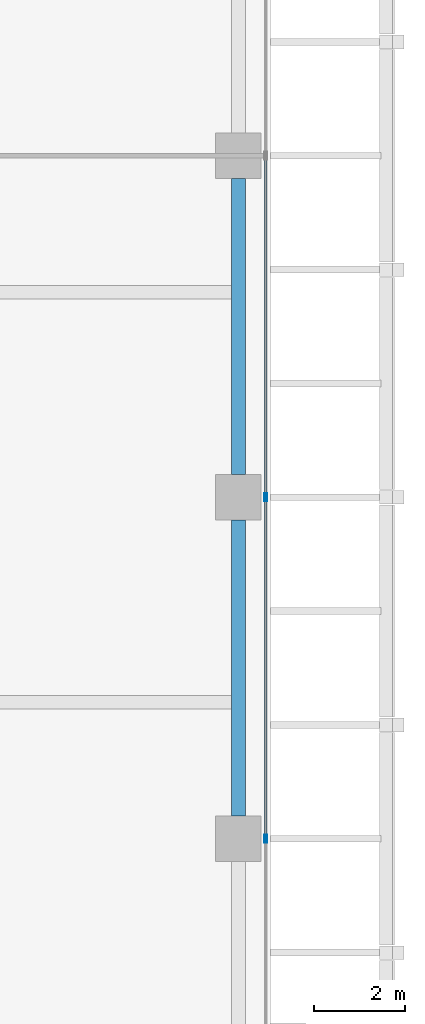
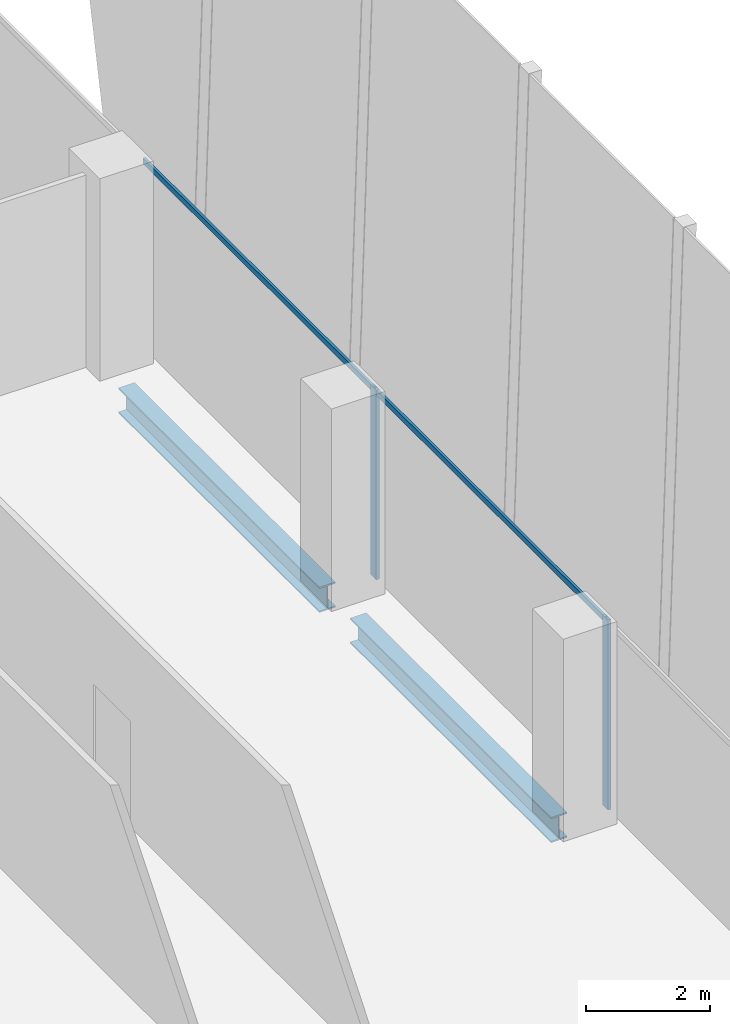
# One storey, part 13 of 35: 4 members, 2 beams, 1 element without a shape of its own.
"""IFC4 building model written with IfcOpenShell, lengths in metres."""

from ifc_helpers import new_model, si_unit, direction, frame, origin, origin_2d, place, context, subcontext, project, spatial, hollow_rectangle, i_section, extrude, source, transform, mapped, material, material_profile, profile_set, type_object, element, aggregate, save


model = new_model("IFC4")

# Units and contexts
model_context = context("Model", 3, precision=1e-05, world=origin(), true_north=direction((0.0, 1.0)))
body_context = subcontext(model_context, "Body", "Model", "MODEL_VIEW")
ifc_project = project(units=[si_unit("LENGTHUNIT", "METRE"), si_unit("AREAUNIT", "SQUARE_METRE"), si_unit("VOLUMEUNIT", "CUBIC_METRE"), si_unit("PLANEANGLEUNIT", "RADIAN"), si_unit("MASSUNIT", "GRAM", prefix="KILO")], contexts=[model_context])

# Site, building, storey
site_placement = place(None, origin())
site = spatial("IfcSite", under=ifc_project, at=site_placement, CompositionType="ELEMENT")
building_placement = place(site_placement, origin())
building = spatial("IfcBuilding", under=site, at=building_placement, Name="Khomas Fold Tower", CompositionType="ELEMENT")
storey_placement = place(building_placement, frame((0.0, 0.0, 212.699951171875)))
storey = spatial("IfcBuildingStorey", under=building, at=storey_placement, Name="L47", CompositionType="ELEMENT", Elevation=212.699951171875)

# Beams
ifc_material_1 = material(Name="Steel S355", Category="steel")
ifc_material_profile_1 = material_profile(ifc_material_1, i_section(OverallWidth=0.300048828125, OverallDepth=0.5, WebThickness=0.014404296875, FlangeThickness=0.028076171875, at=origin_2d()), Name="HE 500 B")
ifc_profile_set_1 = profile_set([ifc_material_profile_1], Name="Steel S355")
beam_type = type_object("IfcBeamType", Name="HE 500 B spandrel SB3", PredefinedType="SPANDREL", material=ifc_profile_set_1)
shared_shape_1 = source(origin(), body_context, "Body", "SweptSolid", [
    extrude(i_section(OverallWidth=0.300048828125, OverallDepth=0.5, WebThickness=0.014404296875, FlangeThickness=0.028076171875, at=origin_2d()), origin(), (0.0, 0.0, 1.0), 6.5),
])
for number, where, z_axis, x_axis, name in (
    (1, (50.300048828125, 20.0, -0.5), (0.0, 1.0, 0.0), (-1.0, 0.0, 0.0), "SB3"),
    (2, (50.300048828125, 27.5, -0.5), (0.0, 1.0, 0.0), (-1.0, 0.0, 0.0), "SB3"),
):
    element("IfcBeam", number, at=place(storey_placement, frame(where, z_axis=z_axis, x_axis=x_axis)), inside=storey, type_object=beam_type, Name=name, PredefinedType="SPANDREL", context=body_context, shape_type="MappedRepresentation", body=[
        mapped(shared_shape_1, transform((0.0, 0.0, 0.0))),
    ])

# Curtain wall, members
ifc_material_2 = material(Name="Aluminium framed double glazing", Category="aluminium")
curtain_wall_type = type_object("IfcCurtainWallType", Name="SK-Unitised clear-glass wall, office floors CW2", PredefinedType="NOTDEFINED", material=ifc_material_2)
curtain_wall_placement = place(storey_placement, origin())
curtain_wall = element("IfcCurtainWall", 3, at=curtain_wall_placement, inside=storey, type_object=curtain_wall_type, Name="CW2 run L47 03-0", PredefinedType="NOTDEFINED")
ifc_material_3 = material(Name="Aluminium", Category="aluminium")
ifc_material_profile_2 = material_profile(ifc_material_3, hollow_rectangle(XDim=0.06005859375, YDim=0.179931640625, WallThickness=0.00390625, at=origin_2d()), Name="SK-Unitised clear-glass wall, office floors mullion CW2-M")
ifc_profile_set_2 = profile_set([ifc_material_profile_2], Name="Aluminium")
member_type_1 = type_object("IfcMemberType", Name="SK-Unitised clear-glass wall, office floors mullion CW2-M", PredefinedType="MULLION", material=ifc_profile_set_2)
shared_shape_2 = source(origin(), body_context, "Body", "SweptSolid", [
    extrude(hollow_rectangle(XDim=0.06005859375, YDim=0.179931640625, WallThickness=0.00390625, at=origin_2d()), origin(), (0.0, 0.0, 1.0), 3.75),
])
member_1_placement = place(storey_placement, frame((50.89990234375, 19.5, 0.0), z_axis=(0.0, 0.0, 1.0), x_axis=(-1.0, 0.0, 0.0)))
member_1 = element("IfcMember", 4, at=member_1_placement, type_object=member_type_1, Name="CW2 mullion 4", PredefinedType="MULLION", context=body_context, shape_type="MappedRepresentation", body=[
    mapped(shared_shape_2, transform((0.0, 0.0, 0.0))),
])
member_2_placement = place(storey_placement, frame((50.89990234375, 27.0, 0.0), z_axis=(0.0, 0.0, 1.0), x_axis=(-1.0, 0.0, 0.0)))
member_2 = element("IfcMember", 5, at=member_2_placement, type_object=member_type_1, Name="CW2 mullion 5", PredefinedType="MULLION", context=body_context, shape_type="MappedRepresentation", body=[
    mapped(shared_shape_2, transform((0.0, 0.0, 0.0))),
])
ifc_material_4 = material(Name="Aluminium", Category="aluminium")
ifc_material_profile_3 = material_profile(ifc_material_4, hollow_rectangle(XDim=0.050048828125, YDim=0.110107421875, WallThickness=0.00390625, at=origin_2d()), Name="SK-Unitised clear-glass wall, office floors transom CW2-T")
ifc_profile_set_3 = profile_set([ifc_material_profile_3], Name="Aluminium")
member_type_2 = type_object("IfcMemberType", Name="SK-Unitised clear-glass wall, office floors transom CW2-T", PredefinedType="USERDEFINED", material=ifc_profile_set_3)
shared_shape_3 = source(origin(), body_context, "Body", "SweptSolid", [
    extrude(hollow_rectangle(XDim=0.050048828125, YDim=0.110107421875, WallThickness=0.00390625, at=origin_2d()), origin(), (0.0, 0.0, 1.0), 7.43994140625),
])
member_3_placement = place(storey_placement, frame((50.89990234375, 19.530029296875, 3.695068359375), z_axis=(0.0, 1.0, 0.0), x_axis=(-1.0, 0.0, 0.0)))
member_3 = element("IfcMember", 6, at=member_3_placement, type_object=member_type_2, Name="CW2 transom 4", ObjectType="TRANSOM", PredefinedType="USERDEFINED", context=body_context, shape_type="MappedRepresentation", body=[
    mapped(shared_shape_3, transform((0.0, 0.0, 0.0))),
])
member_4_placement = place(storey_placement, frame((50.89990234375, 27.030029296875, 3.695068359375), z_axis=(0.0, 1.0, 0.0), x_axis=(-1.0, 0.0, 0.0)))
member_4 = element("IfcMember", 7, at=member_4_placement, type_object=member_type_2, Name="CW2 transom 5", ObjectType="TRANSOM", PredefinedType="USERDEFINED", context=body_context, shape_type="MappedRepresentation", body=[
    mapped(shared_shape_3, transform((0.0, 0.0, 0.0))),
])
aggregate(curtain_wall, [member_1, member_2, member_3, member_4])

save(model, "model.ifc")
